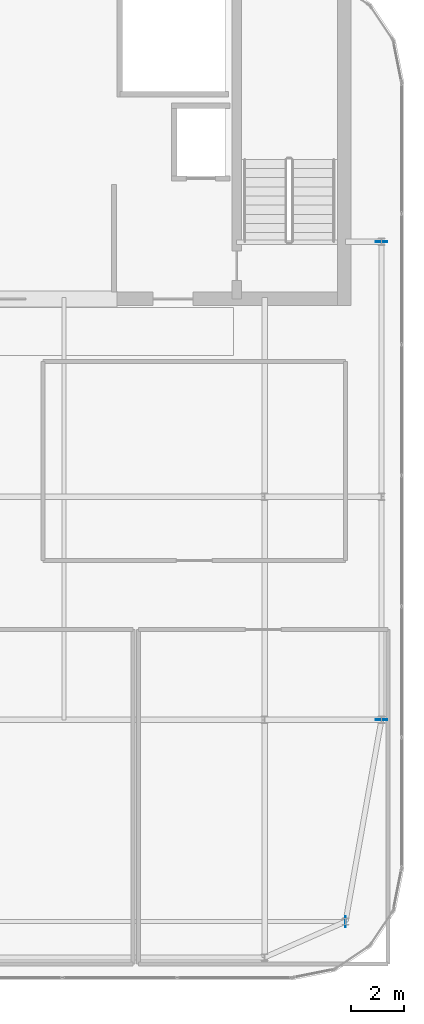
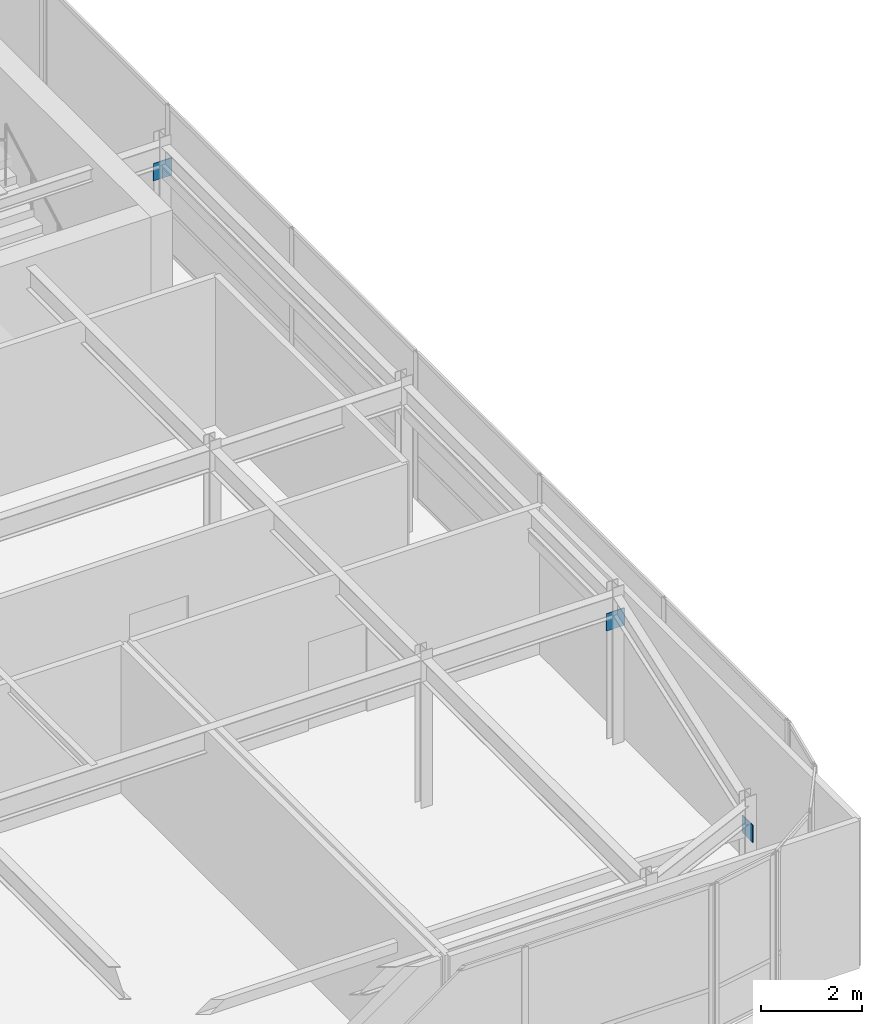
# One storey, part 32 of 36: 3 plates.
"""IFC4 building model written with IfcOpenShell, lengths in metres."""

from ifc_helpers import new_model, si_unit, direction, frame, origin, origin_2d, place, context, subcontext, project, spatial, rectangle, extrude, source, transform, mapped, material, layer, layer_set, type_object, type_shapes, element, save


model = new_model("IFC4")

# Units and contexts
model_context = context("Model", 3, precision=1e-05, world=origin(), true_north=direction((0.0, 1.0)))
body_context = subcontext(model_context, "Body", "Model", "MODEL_VIEW")
ifc_project = project(units=[si_unit("LENGTHUNIT", "METRE"), si_unit("AREAUNIT", "SQUARE_METRE"), si_unit("VOLUMEUNIT", "CUBIC_METRE"), si_unit("PLANEANGLEUNIT", "RADIAN"), si_unit("MASSUNIT", "GRAM", prefix="KILO")], contexts=[model_context])

# Site, building, storey
site_placement = place(None, origin())
site = spatial("IfcSite", under=ifc_project, at=site_placement, CompositionType="ELEMENT")
building_placement = place(site_placement, origin())
building = spatial("IfcBuilding", under=site, at=building_placement, Name="Tolvann Quenvar Hotel", CompositionType="ELEMENT")
storey_placement = place(building_placement, frame((0.0, 0.0, 302.35009765625)))
storey = spatial("IfcBuildingStorey", under=building, at=storey_placement, Name="L80", CompositionType="ELEMENT", Elevation=302.35009765625)

# Plates
ifc_material = material(Name="Steel Grade 350", Category="steel")
ifc_layer = layer(ifc_material, 0.02490234375)
ifc_layer_set = layer_set([ifc_layer], Name="Steel Grade 350")
plate_type = type_object("IfcPlateType", Name="PLT_ENDCAP_25", PredefinedType="SHEET", material=ifc_layer_set)
shared_shape_1 = source(origin(), body_context, "Body", "SweptSolid", [
    extrude(rectangle(XDim=0.02490234375, YDim=0.419921875, at=origin_2d()), origin(), (0.0, 0.0, 1.0), 0.419921875),
])
plate_placement = place(storey_placement, frame((35.800048828125, 8.39990234375, 2.719970703125), z_axis=(0.0, 0.0, 1.0), x_axis=(1.0, 0.0, 0.0)))
element("IfcPlate", 1, at=plate_placement, inside=storey, type_object=plate_type, Name="Crown Ring End Cap Plate EC-1 (L80-1-2)", PredefinedType="SHEET", context=body_context, shape_type="MappedRepresentation", body=[
    mapped(shared_shape_1, transform((0.0, 0.0, 0.0), x_axis=(1.0, 0.0, 0.0), y_axis=(0.0, 1.0, 0.0), z_axis=(0.0, 0.0, 1.0), scale=1.0)),
])
shared_shape_2 = source(origin(), body_context, "Body", "SweptSolid", [
    extrude(rectangle(XDim=0.419921875, YDim=0.02490234375, at=origin_2d()), origin(), (0.0, 0.0, 1.0), 0.419921875),
])
type_shapes(plate_type, [shared_shape_1, shared_shape_2])
for number, where, z_axis, x_axis, name in (
    (2, (37.14990234375, 16.0, 2.719970703125), (0.0, 0.0, 1.0), (1.0, 0.0, 0.0), "Crown Ring End Cap Plate EC-1 (L80-3-1)"),
    (3, (37.14990234375, 34.0, 2.719970703125), (0.0, 0.0, 1.0), (1.0, 0.0, 0.0), "Crown Ring End Cap Plate EC-1 (L80-3-2)"),
):
    element("IfcPlate", number, at=place(storey_placement, frame(where, z_axis=z_axis, x_axis=x_axis)), inside=storey, type_object=plate_type, Name=name, PredefinedType="SHEET", context=body_context, shape_type="MappedRepresentation", body=[
        mapped(shared_shape_2, transform((0.0, 0.0, 0.0), x_axis=(1.0, 0.0, 0.0), y_axis=(0.0, 1.0, 0.0), z_axis=(0.0, 0.0, 1.0), scale=1.0)),
    ])

save(model, "model.ifc")
